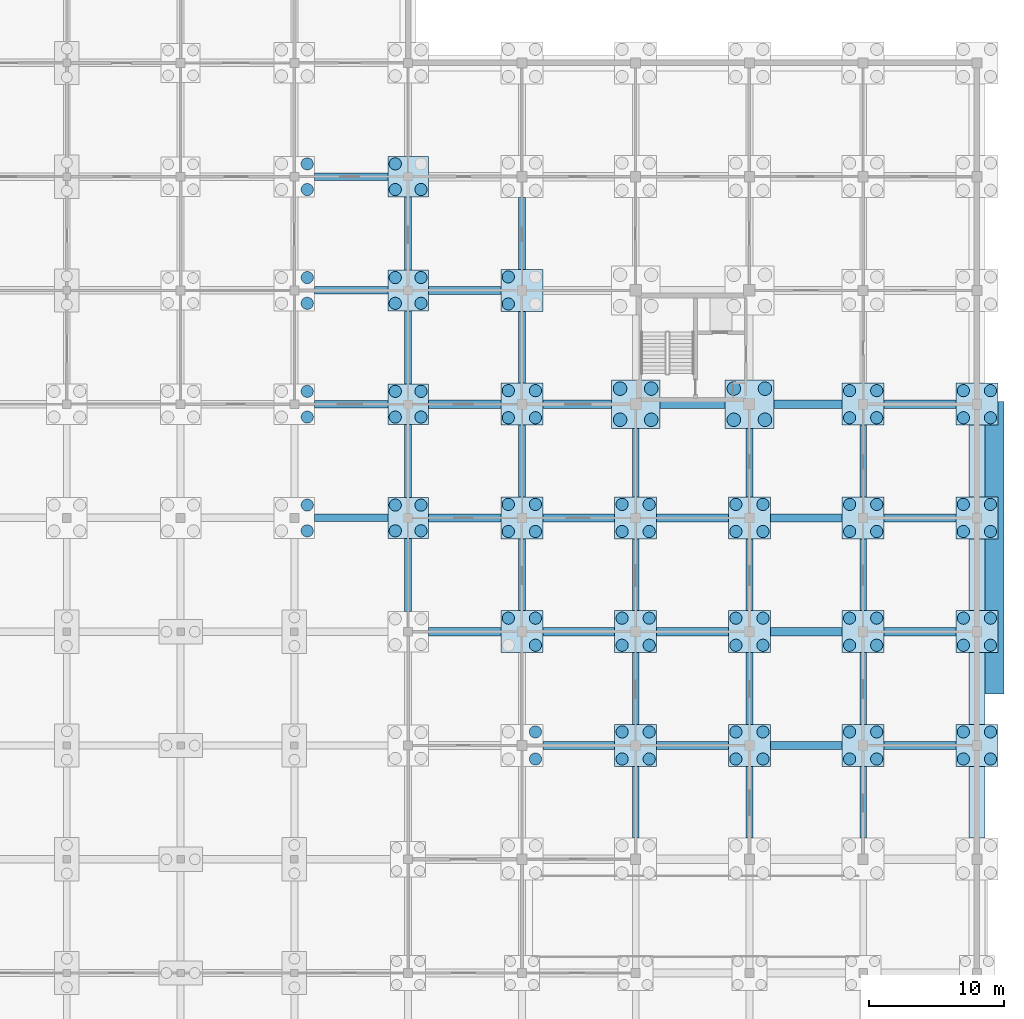
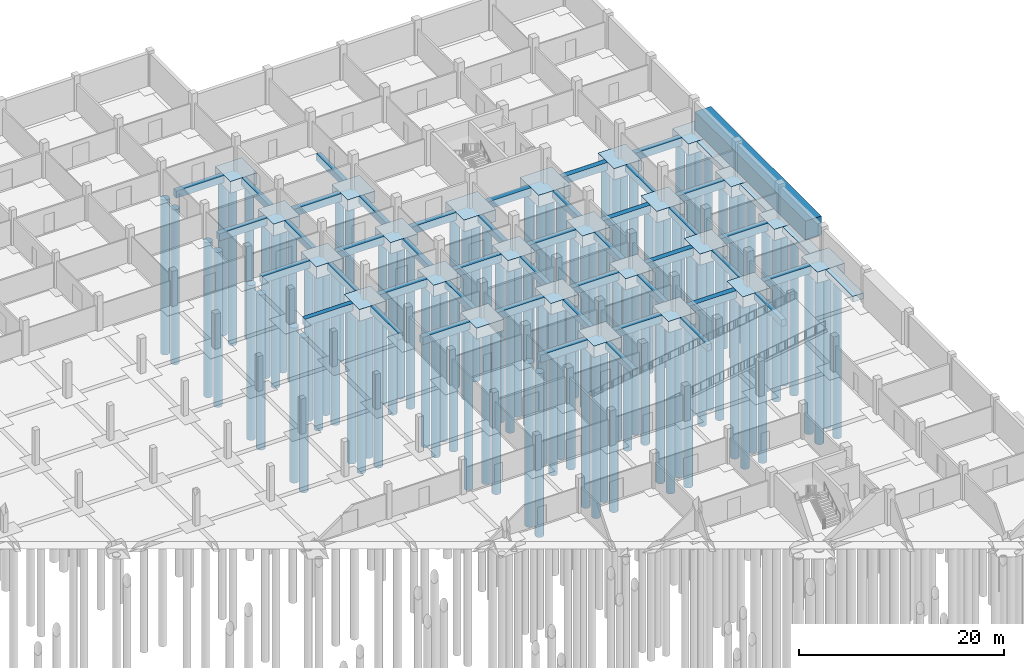
# One storey, part 14 of 43: 102 piles, 73 footings.
"""IFC4 building model written with IfcOpenShell, lengths in metres."""

from ifc_helpers import new_model, si_unit, direction, frame, origin, origin_2d, place, context, subcontext, project, spatial, rectangle, circle, extrude, material, material_profile, profile_set, type_object, element, save


model = new_model("IFC4")

# Units and contexts
model_context = context("Model", 3, precision=1e-05, world=origin(), true_north=direction((0.0, 1.0)))
body_context = subcontext(model_context, "Body", "Model", "MODEL_VIEW")
ifc_project = project(units=[si_unit("LENGTHUNIT", "METRE"), si_unit("AREAUNIT", "SQUARE_METRE"), si_unit("VOLUMEUNIT", "CUBIC_METRE"), si_unit("PLANEANGLEUNIT", "RADIAN"), si_unit("MASSUNIT", "GRAM", prefix="KILO")], contexts=[model_context])

# Site, building, storey
site_placement = place(None, origin())
site = spatial("IfcSite", under=ifc_project, at=site_placement, CompositionType="ELEMENT")
building_placement = place(site_placement, origin())
building = spatial("IfcBuilding", under=site, at=building_placement, Name="Varnapada Polytechnic", CompositionType="ELEMENT")
storey_placement = place(building_placement, frame((0.0, 0.0, -4.199951171875)))
storey = spatial("IfcBuildingStorey", under=building, at=storey_placement, Name="B1", CompositionType="ELEMENT", Elevation=-4.199951171875)

# Piles
ifc_material = material(Name="Concrete C40/50", Category="concrete")
ifc_material_profile_1 = material_profile(ifc_material, circle(Radius=0.5, at=origin_2d()), Name="BP 1000")
ifc_profile_set_1 = profile_set([ifc_material_profile_1], Name="Concrete C40/50")
pile_type_1 = type_object("IfcPileType", Name="Bored Pile BP 1000", PredefinedType="BORED", material=ifc_profile_set_1)
for number, where, z_axis, x_axis, name in (
    (1, (150.050048828125, 91.25, -1.300048828125), (0.0, 0.0, -1.0), (1.0, 0.0, 0.0), "Bored pile P-01 under CAP-18-11 (1)"),
    (2, (152.35009765625, 91.25, -1.300048828125), (0.0, 0.0, -1.0), (1.0, 0.0, 0.0), "Bored pile P-01 under CAP-18-11 (2)"),
    (3, (150.050048828125, 93.550048828125, -1.300048828125), (0.0, 0.0, -1.0), (1.0, 0.0, 0.0), "Bored pile P-01 under CAP-18-11 (3)"),
    (4, (152.35009765625, 93.550048828125, -1.300048828125), (0.0, 0.0, -1.0), (1.0, 0.0, 0.0), "Bored pile P-01 under CAP-18-11 (4)"),
    (5, (158.449951171875, 91.25, -1.300048828125), (0.0, 0.0, -1.0), (1.0, 0.0, 0.0), "Bored pile P-01 under CAP-19-11 (1)"),
    (6, (160.75, 91.25, -1.300048828125), (0.0, 0.0, -1.0), (1.0, 0.0, 0.0), "Bored pile P-01 under CAP-19-11 (2)"),
    (7, (158.449951171875, 93.550048828125, -1.300048828125), (0.0, 0.0, -1.0), (1.0, 0.0, 0.0), "Bored pile P-01 under CAP-19-11 (3)"),
    (8, (160.75, 93.550048828125, -1.300048828125), (0.0, 0.0, -1.0), (1.0, 0.0, 0.0), "Bored pile P-01 under CAP-19-11 (4)"),
):
    element("IfcPile", number, at=place(storey_placement, frame(where, z_axis=z_axis, x_axis=x_axis)), inside=storey, type_object=pile_type_1, Name=name, PredefinedType="BORED", context=body_context, shape_type="SweptSolid", body=[
        extrude(circle(Radius=0.5, at=origin_2d()), origin(), (0.0, 0.0, 1.0), 20.5),
    ])
ifc_material_profile_2 = material_profile(ifc_material, circle(Radius=0.449951171875, at=origin_2d()), Name="BP 900")
ifc_profile_set_2 = profile_set([ifc_material_profile_2], Name="Concrete C40/50")
pile_type_2 = type_object("IfcPileType", Name="Bored Pile BP 900", PredefinedType="BORED", material=ifc_profile_set_2)
for number, where, z_axis, x_axis, name in (
    (9, (126.949951171875, 83.050048828125, -1.300048828125), (0.0, 0.0, -1.0), (1.0, 0.0, 0.0), "Bored pile P-02 under CAP-15-10 (2)"),
    (10, (126.949951171875, 84.949951171875, -1.300048828125), (0.0, 0.0, -1.0), (1.0, 0.0, 0.0), "Bored pile P-02 under CAP-15-10 (4)"),
    (11, (126.949951171875, 91.449951171875, -1.300048828125), (0.0, 0.0, -1.0), (1.0, 0.0, 0.0), "Bored pile P-02 under CAP-15-11 (2)"),
    (12, (126.949951171875, 93.35009765625, -1.300048828125), (0.0, 0.0, -1.0), (1.0, 0.0, 0.0), "Bored pile P-02 under CAP-15-11 (4)"),
    (13, (126.949951171875, 99.85009765625, -1.300048828125), (0.0, 0.0, -1.0), (1.0, 0.0, 0.0), "Bored pile P-02 under CAP-15-12 (2)"),
    (14, (126.949951171875, 101.75, -1.300048828125), (0.0, 0.0, -1.0), (1.0, 0.0, 0.0), "Bored pile P-02 under CAP-15-12 (4)"),
    (15, (126.949951171875, 108.25, -1.300048828125), (0.0, 0.0, -1.0), (1.0, 0.0, 0.0), "Bored pile P-02 under CAP-15-13 (2)"),
    (16, (126.949951171875, 110.14990234375, -1.300048828125), (0.0, 0.0, -1.0), (1.0, 0.0, 0.0), "Bored pile P-02 under CAP-15-13 (4)"),
    (17, (133.449951171875, 83.050048828125, -1.300048828125), (0.0, 0.0, -1.0), (1.0, 0.0, 0.0), "Bored pile P-02 under CAP-16-10 (1)"),
    (18, (135.35009765625, 83.050048828125, -1.300048828125), (0.0, 0.0, -1.0), (1.0, 0.0, 0.0), "Bored pile P-02 under CAP-16-10 (2)"),
    (19, (133.449951171875, 84.949951171875, -1.300048828125), (0.0, 0.0, -1.0), (1.0, 0.0, 0.0), "Bored pile P-02 under CAP-16-10 (3)"),
    (20, (135.35009765625, 84.949951171875, -1.300048828125), (0.0, 0.0, -1.0), (1.0, 0.0, 0.0), "Bored pile P-02 under CAP-16-10 (4)"),
    (21, (133.449951171875, 91.449951171875, -1.300048828125), (0.0, 0.0, -1.0), (1.0, 0.0, 0.0), "Bored pile P-02 under CAP-16-11 (1)"),
    (22, (135.35009765625, 91.449951171875, -1.300048828125), (0.0, 0.0, -1.0), (1.0, 0.0, 0.0), "Bored pile P-02 under CAP-16-11 (2)"),
    (23, (133.449951171875, 93.35009765625, -1.300048828125), (0.0, 0.0, -1.0), (1.0, 0.0, 0.0), "Bored pile P-02 under CAP-16-11 (3)"),
    (24, (135.35009765625, 93.35009765625, -1.300048828125), (0.0, 0.0, -1.0), (1.0, 0.0, 0.0), "Bored pile P-02 under CAP-16-11 (4)"),
    (25, (133.449951171875, 99.85009765625, -1.300048828125), (0.0, 0.0, -1.0), (1.0, 0.0, 0.0), "Bored pile P-02 under CAP-16-12 (1)"),
    (26, (135.35009765625, 99.85009765625, -1.300048828125), (0.0, 0.0, -1.0), (1.0, 0.0, 0.0), "Bored pile P-02 under CAP-16-12 (2)"),
    (27, (133.449951171875, 101.75, -1.300048828125), (0.0, 0.0, -1.0), (1.0, 0.0, 0.0), "Bored pile P-02 under CAP-16-12 (3)"),
    (28, (135.35009765625, 101.75, -1.300048828125), (0.0, 0.0, -1.0), (1.0, 0.0, 0.0), "Bored pile P-02 under CAP-16-12 (4)"),
    (29, (133.449951171875, 108.25, -1.300048828125), (0.0, 0.0, -1.0), (1.0, 0.0, 0.0), "Bored pile P-02 under CAP-16-13 (1)"),
    (30, (135.35009765625, 108.25, -1.300048828125), (0.0, 0.0, -1.0), (1.0, 0.0, 0.0), "Bored pile P-02 under CAP-16-13 (2)"),
    (31, (133.449951171875, 110.14990234375, -1.300048828125), (0.0, 0.0, -1.0), (1.0, 0.0, 0.0), "Bored pile P-02 under CAP-16-13 (3)"),
):
    element("IfcPile", number, at=place(storey_placement, frame(where, z_axis=z_axis, x_axis=x_axis)), inside=storey, type_object=pile_type_2, Name=name, PredefinedType="BORED", context=body_context, shape_type="SweptSolid", body=[
        extrude(circle(Radius=0.449951171875, at=origin_2d()), origin(), (0.0, 0.0, 1.0), 18.5),
    ])
for number, where, z_axis, x_axis, name in (
    (32, (143.800048828125, 66.199951171875, -1.25), (0.0, 0.0, -1.0), (1.0, 0.0, 0.0), "Bored pile P-02 under CAP-17-08 (2)"),
    (33, (143.800048828125, 68.199951171875, -1.25), (0.0, 0.0, -1.0), (1.0, 0.0, 0.0), "Bored pile P-02 under CAP-17-08 (4)"),
    (34, (143.800048828125, 74.60009765625, -1.25), (0.0, 0.0, -1.0), (1.0, 0.0, 0.0), "Bored pile P-02 under CAP-17-09 (2)"),
    (35, (141.800048828125, 76.60009765625, -1.25), (0.0, 0.0, -1.0), (1.0, 0.0, 0.0), "Bored pile P-02 under CAP-17-09 (3)"),
    (36, (143.800048828125, 76.60009765625, -1.25), (0.0, 0.0, -1.0), (1.0, 0.0, 0.0), "Bored pile P-02 under CAP-17-09 (4)"),
    (37, (141.800048828125, 83.0, -1.25), (0.0, 0.0, -1.0), (1.0, 0.0, 0.0), "Bored pile P-02 under CAP-17-10 (1)"),
    (38, (143.800048828125, 83.0, -1.25), (0.0, 0.0, -1.0), (1.0, 0.0, 0.0), "Bored pile P-02 under CAP-17-10 (2)"),
    (39, (141.800048828125, 85.0, -1.25), (0.0, 0.0, -1.0), (1.0, 0.0, 0.0), "Bored pile P-02 under CAP-17-10 (3)"),
    (40, (143.800048828125, 85.0, -1.25), (0.0, 0.0, -1.0), (1.0, 0.0, 0.0), "Bored pile P-02 under CAP-17-10 (4)"),
    (41, (141.800048828125, 91.39990234375, -1.25), (0.0, 0.0, -1.0), (1.0, 0.0, 0.0), "Bored pile P-02 under CAP-17-11 (1)"),
    (42, (143.800048828125, 91.39990234375, -1.25), (0.0, 0.0, -1.0), (1.0, 0.0, 0.0), "Bored pile P-02 under CAP-17-11 (2)"),
    (43, (141.800048828125, 93.39990234375, -1.25), (0.0, 0.0, -1.0), (1.0, 0.0, 0.0), "Bored pile P-02 under CAP-17-11 (3)"),
    (44, (143.800048828125, 93.39990234375, -1.25), (0.0, 0.0, -1.0), (1.0, 0.0, 0.0), "Bored pile P-02 under CAP-17-11 (4)"),
    (45, (141.800048828125, 99.800048828125, -1.25), (0.0, 0.0, -1.0), (1.0, 0.0, 0.0), "Bored pile P-02 under CAP-17-12 (1)"),
    (46, (141.800048828125, 101.800048828125, -1.25), (0.0, 0.0, -1.0), (1.0, 0.0, 0.0), "Bored pile P-02 under CAP-17-12 (3)"),
    (47, (150.199951171875, 66.199951171875, -1.25), (0.0, 0.0, -1.0), (1.0, 0.0, 0.0), "Bored pile P-02 under CAP-18-08 (1)"),
    (48, (152.199951171875, 66.199951171875, -1.25), (0.0, 0.0, -1.0), (1.0, 0.0, 0.0), "Bored pile P-02 under CAP-18-08 (2)"),
    (49, (150.199951171875, 68.199951171875, -1.25), (0.0, 0.0, -1.0), (1.0, 0.0, 0.0), "Bored pile P-02 under CAP-18-08 (3)"),
    (50, (152.199951171875, 68.199951171875, -1.25), (0.0, 0.0, -1.0), (1.0, 0.0, 0.0), "Bored pile P-02 under CAP-18-08 (4)"),
    (51, (150.199951171875, 74.60009765625, -1.25), (0.0, 0.0, -1.0), (1.0, 0.0, 0.0), "Bored pile P-02 under CAP-18-09 (1)"),
    (52, (152.199951171875, 74.60009765625, -1.25), (0.0, 0.0, -1.0), (1.0, 0.0, 0.0), "Bored pile P-02 under CAP-18-09 (2)"),
    (53, (150.199951171875, 76.60009765625, -1.25), (0.0, 0.0, -1.0), (1.0, 0.0, 0.0), "Bored pile P-02 under CAP-18-09 (3)"),
    (54, (152.199951171875, 76.60009765625, -1.25), (0.0, 0.0, -1.0), (1.0, 0.0, 0.0), "Bored pile P-02 under CAP-18-09 (4)"),
    (55, (150.199951171875, 83.0, -1.25), (0.0, 0.0, -1.0), (1.0, 0.0, 0.0), "Bored pile P-02 under CAP-18-10 (1)"),
    (56, (152.199951171875, 83.0, -1.25), (0.0, 0.0, -1.0), (1.0, 0.0, 0.0), "Bored pile P-02 under CAP-18-10 (2)"),
    (57, (150.199951171875, 85.0, -1.25), (0.0, 0.0, -1.0), (1.0, 0.0, 0.0), "Bored pile P-02 under CAP-18-10 (3)"),
    (58, (152.199951171875, 85.0, -1.25), (0.0, 0.0, -1.0), (1.0, 0.0, 0.0), "Bored pile P-02 under CAP-18-10 (4)"),
    (59, (158.60009765625, 66.199951171875, -1.25), (0.0, 0.0, -1.0), (1.0, 0.0, 0.0), "Bored pile P-02 under CAP-19-08 (1)"),
    (60, (160.60009765625, 66.199951171875, -1.25), (0.0, 0.0, -1.0), (1.0, 0.0, 0.0), "Bored pile P-02 under CAP-19-08 (2)"),
    (61, (158.60009765625, 68.199951171875, -1.25), (0.0, 0.0, -1.0), (1.0, 0.0, 0.0), "Bored pile P-02 under CAP-19-08 (3)"),
    (62, (160.60009765625, 68.199951171875, -1.25), (0.0, 0.0, -1.0), (1.0, 0.0, 0.0), "Bored pile P-02 under CAP-19-08 (4)"),
    (63, (158.60009765625, 74.60009765625, -1.25), (0.0, 0.0, -1.0), (1.0, 0.0, 0.0), "Bored pile P-02 under CAP-19-09 (1)"),
    (64, (160.60009765625, 74.60009765625, -1.25), (0.0, 0.0, -1.0), (1.0, 0.0, 0.0), "Bored pile P-02 under CAP-19-09 (2)"),
    (65, (158.60009765625, 76.60009765625, -1.25), (0.0, 0.0, -1.0), (1.0, 0.0, 0.0), "Bored pile P-02 under CAP-19-09 (3)"),
    (66, (160.60009765625, 76.60009765625, -1.25), (0.0, 0.0, -1.0), (1.0, 0.0, 0.0), "Bored pile P-02 under CAP-19-09 (4)"),
    (67, (158.60009765625, 83.0, -1.25), (0.0, 0.0, -1.0), (1.0, 0.0, 0.0), "Bored pile P-02 under CAP-19-10 (1)"),
    (68, (160.60009765625, 83.0, -1.25), (0.0, 0.0, -1.0), (1.0, 0.0, 0.0), "Bored pile P-02 under CAP-19-10 (2)"),
    (69, (158.60009765625, 85.0, -1.25), (0.0, 0.0, -1.0), (1.0, 0.0, 0.0), "Bored pile P-02 under CAP-19-10 (3)"),
    (70, (160.60009765625, 85.0, -1.25), (0.0, 0.0, -1.0), (1.0, 0.0, 0.0), "Bored pile P-02 under CAP-19-10 (4)"),
    (71, (167.0, 66.199951171875, -1.25), (0.0, 0.0, -1.0), (1.0, 0.0, 0.0), "Bored pile P-02 under CAP-20-08 (1)"),
    (72, (169.0, 66.199951171875, -1.25), (0.0, 0.0, -1.0), (1.0, 0.0, 0.0), "Bored pile P-02 under CAP-20-08 (2)"),
    (73, (167.0, 68.199951171875, -1.25), (0.0, 0.0, -1.0), (1.0, 0.0, 0.0), "Bored pile P-02 under CAP-20-08 (3)"),
    (74, (169.0, 68.199951171875, -1.25), (0.0, 0.0, -1.0), (1.0, 0.0, 0.0), "Bored pile P-02 under CAP-20-08 (4)"),
    (75, (167.0, 74.60009765625, -1.25), (0.0, 0.0, -1.0), (1.0, 0.0, 0.0), "Bored pile P-02 under CAP-20-09 (1)"),
    (76, (169.0, 74.60009765625, -1.25), (0.0, 0.0, -1.0), (1.0, 0.0, 0.0), "Bored pile P-02 under CAP-20-09 (2)"),
    (77, (167.0, 76.60009765625, -1.25), (0.0, 0.0, -1.0), (1.0, 0.0, 0.0), "Bored pile P-02 under CAP-20-09 (3)"),
    (78, (169.0, 76.60009765625, -1.25), (0.0, 0.0, -1.0), (1.0, 0.0, 0.0), "Bored pile P-02 under CAP-20-09 (4)"),
    (79, (167.0, 83.0, -1.25), (0.0, 0.0, -1.0), (1.0, 0.0, 0.0), "Bored pile P-02 under CAP-20-10 (1)"),
    (80, (169.0, 83.0, -1.25), (0.0, 0.0, -1.0), (1.0, 0.0, 0.0), "Bored pile P-02 under CAP-20-10 (2)"),
    (81, (167.0, 85.0, -1.25), (0.0, 0.0, -1.0), (1.0, 0.0, 0.0), "Bored pile P-02 under CAP-20-10 (3)"),
    (82, (169.0, 85.0, -1.25), (0.0, 0.0, -1.0), (1.0, 0.0, 0.0), "Bored pile P-02 under CAP-20-10 (4)"),
    (83, (167.0, 91.39990234375, -1.25), (0.0, 0.0, -1.0), (1.0, 0.0, 0.0), "Bored pile P-02 under CAP-20-11 (1)"),
    (84, (169.0, 91.39990234375, -1.25), (0.0, 0.0, -1.0), (1.0, 0.0, 0.0), "Bored pile P-02 under CAP-20-11 (2)"),
    (85, (167.0, 93.39990234375, -1.25), (0.0, 0.0, -1.0), (1.0, 0.0, 0.0), "Bored pile P-02 under CAP-20-11 (3)"),
    (86, (169.0, 93.39990234375, -1.25), (0.0, 0.0, -1.0), (1.0, 0.0, 0.0), "Bored pile P-02 under CAP-20-11 (4)"),
    (87, (175.39990234375, 66.199951171875, -1.25), (0.0, 0.0, -1.0), (1.0, 0.0, 0.0), "Bored pile P-02 under CAP-21-08 (1)"),
    (88, (177.39990234375, 66.199951171875, -1.25), (0.0, 0.0, -1.0), (1.0, 0.0, 0.0), "Bored pile P-02 under CAP-21-08 (2)"),
    (89, (175.39990234375, 68.199951171875, -1.25), (0.0, 0.0, -1.0), (1.0, 0.0, 0.0), "Bored pile P-02 under CAP-21-08 (3)"),
    (90, (177.39990234375, 68.199951171875, -1.25), (0.0, 0.0, -1.0), (1.0, 0.0, 0.0), "Bored pile P-02 under CAP-21-08 (4)"),
    (91, (175.39990234375, 74.60009765625, -1.25), (0.0, 0.0, -1.0), (1.0, 0.0, 0.0), "Bored pile P-02 under CAP-21-09 (1)"),
    (92, (177.39990234375, 74.60009765625, -1.25), (0.0, 0.0, -1.0), (1.0, 0.0, 0.0), "Bored pile P-02 under CAP-21-09 (2)"),
    (93, (175.39990234375, 76.60009765625, -1.25), (0.0, 0.0, -1.0), (1.0, 0.0, 0.0), "Bored pile P-02 under CAP-21-09 (3)"),
    (94, (177.39990234375, 76.60009765625, -1.25), (0.0, 0.0, -1.0), (1.0, 0.0, 0.0), "Bored pile P-02 under CAP-21-09 (4)"),
    (95, (175.39990234375, 83.0, -1.25), (0.0, 0.0, -1.0), (1.0, 0.0, 0.0), "Bored pile P-02 under CAP-21-10 (1)"),
    (96, (177.39990234375, 83.0, -1.25), (0.0, 0.0, -1.0), (1.0, 0.0, 0.0), "Bored pile P-02 under CAP-21-10 (2)"),
    (97, (175.39990234375, 85.0, -1.25), (0.0, 0.0, -1.0), (1.0, 0.0, 0.0), "Bored pile P-02 under CAP-21-10 (3)"),
    (98, (177.39990234375, 85.0, -1.25), (0.0, 0.0, -1.0), (1.0, 0.0, 0.0), "Bored pile P-02 under CAP-21-10 (4)"),
    (99, (175.39990234375, 91.39990234375, -1.25), (0.0, 0.0, -1.0), (1.0, 0.0, 0.0), "Bored pile P-02 under CAP-21-11 (1)"),
    (100, (177.39990234375, 91.39990234375, -1.25), (0.0, 0.0, -1.0), (1.0, 0.0, 0.0), "Bored pile P-02 under CAP-21-11 (2)"),
    (101, (175.39990234375, 93.39990234375, -1.25), (0.0, 0.0, -1.0), (1.0, 0.0, 0.0), "Bored pile P-02 under CAP-21-11 (3)"),
    (102, (177.39990234375, 93.39990234375, -1.25), (0.0, 0.0, -1.0), (1.0, 0.0, 0.0), "Bored pile P-02 under CAP-21-11 (4)"),
):
    element("IfcPile", number, at=place(storey_placement, frame(where, z_axis=z_axis, x_axis=x_axis)), inside=storey, type_object=pile_type_2, Name=name, PredefinedType="BORED", context=body_context, shape_type="SweptSolid", body=[
        extrude(circle(Radius=0.449951171875, at=origin_2d()), origin(), (0.0, 0.0, 1.0), 19.550048828125),
    ])

# Footings
footing_type_1 = type_object("IfcFootingType", Name="Footing GB-01", PredefinedType="FOOTING_BEAM", material=ifc_material)
for number, where, z_axis, x_axis, name in (
    (103, (138.574951171875, 75.60009765625, -0.89990234375), (0.0, 0.0, 1.0), (1.0, 0.0, 0.0), "Ground footing beam GB-01 X 17-18"),
    (104, (138.574951171875, 84.0, -0.89990234375), (0.0, 0.0, 1.0), (1.0, 0.0, 0.0), "Ground footing beam GB-01 X 17-18"),
    (105, (138.574951171875, 92.39990234375, -0.89990234375), (0.0, 0.0, 1.0), (1.0, 0.0, 0.0), "Ground footing beam GB-01 X 17-18"),
    (106, (138.574951171875, 100.800048828125, -0.89990234375), (0.0, 0.0, 1.0), (1.0, 0.0, 0.0), "Ground footing beam GB-01 X 17-18"),
):
    element("IfcFooting", number, at=place(storey_placement, frame(where, z_axis=z_axis, x_axis=x_axis)), inside=storey, type_object=footing_type_1, Name=name, PredefinedType="FOOTING_BEAM", context=body_context, shape_type="SweptSolid", body=[
        extrude(rectangle(XDim=5.35009765625, YDim=0.60009765625, at=origin_2d()), origin(), (0.0, 0.0, 1.0), 0.89990234375),
    ])
for number, where, z_axis, x_axis, name in (
    (107, (147.0, 67.199951171875, -0.89990234375), (0.0, 0.0, 1.0), (1.0, 0.0, 0.0), "Ground footing beam GB-01 X 18-19"),
    (108, (147.0, 75.60009765625, -0.89990234375), (0.0, 0.0, 1.0), (1.0, 0.0, 0.0), "Ground footing beam GB-01 X 18-19"),
    (109, (147.0, 84.0, -0.89990234375), (0.0, 0.0, 1.0), (1.0, 0.0, 0.0), "Ground footing beam GB-01 X 18-19"),
):
    element("IfcFooting", number, at=place(storey_placement, frame(where, z_axis=z_axis, x_axis=x_axis)), inside=storey, type_object=footing_type_1, Name=name, PredefinedType="FOOTING_BEAM", context=body_context, shape_type="SweptSolid", body=[
        extrude(rectangle(XDim=5.300048828125, YDim=0.60009765625, at=origin_2d()), origin(), (0.0, 0.0, 1.0), 0.89990234375),
    ])
footing_1_placement = place(storey_placement, frame((146.875, 92.39990234375, -0.89990234375), z_axis=(0.0, 0.0, 1.0), x_axis=(1.0, 0.0, 0.0)))
element("IfcFooting", 110, at=footing_1_placement, inside=storey, type_object=footing_type_1, Name="Ground footing beam GB-01 X 18-19", PredefinedType="FOOTING_BEAM", context=body_context, shape_type="SweptSolid", body=[
    extrude(rectangle(XDim=5.050048828125, YDim=0.60009765625, at=origin_2d()), origin(), (0.0, 0.0, 1.0), 0.89990234375),
])
for number, where, z_axis, x_axis, name in (
    (111, (155.39990234375, 67.199951171875, -0.89990234375), (0.0, 0.0, 1.0), (1.0, 0.0, 0.0), "Ground footing beam GB-01 X 19-20"),
    (112, (155.39990234375, 75.60009765625, -0.89990234375), (0.0, 0.0, 1.0), (1.0, 0.0, 0.0), "Ground footing beam GB-01 X 19-20"),
    (113, (155.39990234375, 84.0, -0.89990234375), (0.0, 0.0, 1.0), (1.0, 0.0, 0.0), "Ground footing beam GB-01 X 19-20"),
):
    element("IfcFooting", number, at=place(storey_placement, frame(where, z_axis=z_axis, x_axis=x_axis)), inside=storey, type_object=footing_type_1, Name=name, PredefinedType="FOOTING_BEAM", context=body_context, shape_type="SweptSolid", body=[
        extrude(rectangle(XDim=5.300048828125, YDim=0.60009765625, at=origin_2d()), origin(), (0.0, 0.0, 1.0), 0.89990234375),
    ])
footing_2_placement = place(storey_placement, frame((155.39990234375, 92.39990234375, -0.89990234375), z_axis=(0.0, 0.0, 1.0), x_axis=(1.0, 0.0, 0.0)))
element("IfcFooting", 114, at=footing_2_placement, inside=storey, type_object=footing_type_1, Name="Ground footing beam GB-01 X 19-20", PredefinedType="FOOTING_BEAM", context=body_context, shape_type="SweptSolid", body=[
    extrude(rectangle(XDim=4.800048828125, YDim=0.60009765625, at=origin_2d()), origin(), (0.0, 0.0, 1.0), 0.89990234375),
])
for number, where, z_axis, x_axis, name in (
    (115, (163.800048828125, 67.199951171875, -0.89990234375), (0.0, 0.0, 1.0), (1.0, 0.0, 0.0), "Ground footing beam GB-01 X 20-21"),
    (116, (163.800048828125, 75.60009765625, -0.89990234375), (0.0, 0.0, 1.0), (1.0, 0.0, 0.0), "Ground footing beam GB-01 X 20-21"),
    (117, (163.800048828125, 84.0, -0.89990234375), (0.0, 0.0, 1.0), (1.0, 0.0, 0.0), "Ground footing beam GB-01 X 20-21"),
):
    element("IfcFooting", number, at=place(storey_placement, frame(where, z_axis=z_axis, x_axis=x_axis)), inside=storey, type_object=footing_type_1, Name=name, PredefinedType="FOOTING_BEAM", context=body_context, shape_type="SweptSolid", body=[
        extrude(rectangle(XDim=5.300048828125, YDim=0.60009765625, at=origin_2d()), origin(), (0.0, 0.0, 1.0), 0.89990234375),
    ])
footing_3_placement = place(storey_placement, frame((163.925048828125, 92.39990234375, -0.89990234375), z_axis=(0.0, 0.0, 1.0), x_axis=(1.0, 0.0, 0.0)))
element("IfcFooting", 118, at=footing_3_placement, inside=storey, type_object=footing_type_1, Name="Ground footing beam GB-01 X 20-21", PredefinedType="FOOTING_BEAM", context=body_context, shape_type="SweptSolid", body=[
    extrude(rectangle(XDim=5.050048828125, YDim=0.60009765625, at=origin_2d()), origin(), (0.0, 0.0, 1.0), 0.89990234375),
])
for number, where, z_axis, x_axis, name in (
    (119, (172.199951171875, 67.199951171875, -0.89990234375), (0.0, 0.0, 1.0), (1.0, 0.0, 0.0), "Ground footing beam GB-01 X 21-22"),
    (120, (172.199951171875, 75.60009765625, -0.89990234375), (0.0, 0.0, 1.0), (1.0, 0.0, 0.0), "Ground footing beam GB-01 X 21-22"),
    (121, (172.199951171875, 84.0, -0.89990234375), (0.0, 0.0, 1.0), (1.0, 0.0, 0.0), "Ground footing beam GB-01 X 21-22"),
    (122, (172.199951171875, 92.39990234375, -0.89990234375), (0.0, 0.0, 1.0), (1.0, 0.0, 0.0), "Ground footing beam GB-01 X 21-22"),
):
    element("IfcFooting", number, at=place(storey_placement, frame(where, z_axis=z_axis, x_axis=x_axis)), inside=storey, type_object=footing_type_1, Name=name, PredefinedType="FOOTING_BEAM", context=body_context, shape_type="SweptSolid", body=[
        extrude(rectangle(XDim=5.300048828125, YDim=0.60009765625, at=origin_2d()), origin(), (0.0, 0.0, 1.0), 0.89990234375),
    ])
footing_type_2 = type_object("IfcFootingType", Name="Footing GB-02", PredefinedType="FOOTING_BEAM", material=ifc_material)
for number, where, z_axis, x_axis, name in (
    (123, (134.39990234375, 79.800048828125, -0.80029296875), (0.0, 0.0, 1.0), (0.0, 1.0, 0.0), "Ground footing beam GB-02 Y 10-11"),
    (124, (134.39990234375, 88.199951171875, -0.80029296875), (0.0, 0.0, 1.0), (0.0, 1.0, 0.0), "Ground footing beam GB-02 Y 11-12"),
    (125, (134.39990234375, 96.60009765625, -0.80029296875), (0.0, 0.0, 1.0), (0.0, 1.0, 0.0), "Ground footing beam GB-02 Y 12-13"),
    (126, (134.39990234375, 105.0, -0.80029296875), (0.0, 0.0, 1.0), (0.0, 1.0, 0.0), "Ground footing beam GB-02 Y 13-14"),
):
    element("IfcFooting", number, at=place(storey_placement, frame(where, z_axis=z_axis, x_axis=x_axis)), inside=storey, type_object=footing_type_2, Name=name, PredefinedType="FOOTING_BEAM", context=body_context, shape_type="SweptSolid", body=[
        extrude(rectangle(XDim=5.39990234375, YDim=0.5, at=origin_2d()), origin(), (0.0, 0.0, 1.0), 0.800048828125),
    ])
for number, where, z_axis, x_axis, name in (
    (127, (142.800048828125, 79.800048828125, -0.80029296875), (0.0, 0.0, 1.0), (0.0, 1.0, 0.0), "Ground footing beam GB-02 Y 10-11"),
    (128, (142.800048828125, 88.199951171875, -0.80029296875), (0.0, 0.0, 1.0), (0.0, 1.0, 0.0), "Ground footing beam GB-02 Y 11-12"),
    (129, (142.800048828125, 96.60009765625, -0.80029296875), (0.0, 0.0, 1.0), (0.0, 1.0, 0.0), "Ground footing beam GB-02 Y 12-13"),
    (130, (142.800048828125, 105.0, -0.80029296875), (0.0, 0.0, 1.0), (0.0, 1.0, 0.0), "Ground footing beam GB-02 Y 13-14"),
    (131, (151.199951171875, 63.0, -0.80029296875), (0.0, 0.0, 1.0), (0.0, 1.0, 0.0), "Ground footing beam GB-02 Y 8-9"),
    (132, (151.199951171875, 71.39990234375, -0.80029296875), (0.0, 0.0, 1.0), (0.0, 1.0, 0.0), "Ground footing beam GB-02 Y 9-10"),
    (133, (151.199951171875, 79.800048828125, -0.80029296875), (0.0, 0.0, 1.0), (0.0, 1.0, 0.0), "Ground footing beam GB-02 Y 10-11"),
):
    element("IfcFooting", number, at=place(storey_placement, frame(where, z_axis=z_axis, x_axis=x_axis)), inside=storey, type_object=footing_type_2, Name=name, PredefinedType="FOOTING_BEAM", context=body_context, shape_type="SweptSolid", body=[
        extrude(rectangle(XDim=5.300048828125, YDim=0.5, at=origin_2d()), origin(), (0.0, 0.0, 1.0), 0.800048828125),
    ])
footing_4_placement = place(storey_placement, frame((151.199951171875, 88.074951171875, -0.80029296875), z_axis=(0.0, 0.0, 1.0), x_axis=(0.0, 1.0, 0.0)))
element("IfcFooting", 134, at=footing_4_placement, inside=storey, type_object=footing_type_2, Name="Ground footing beam GB-02 Y 11-12", PredefinedType="FOOTING_BEAM", context=body_context, shape_type="SweptSolid", body=[
    extrude(rectangle(XDim=5.050048828125, YDim=0.5, at=origin_2d()), origin(), (0.0, 0.0, 1.0), 0.800048828125),
])
for number, where, z_axis, x_axis, name in (
    (135, (159.60009765625, 63.0, -0.80029296875), (0.0, 0.0, 1.0), (0.0, 1.0, 0.0), "Ground footing beam GB-02 Y 8-9"),
    (136, (159.60009765625, 71.39990234375, -0.80029296875), (0.0, 0.0, 1.0), (0.0, 1.0, 0.0), "Ground footing beam GB-02 Y 9-10"),
    (137, (159.60009765625, 79.800048828125, -0.80029296875), (0.0, 0.0, 1.0), (0.0, 1.0, 0.0), "Ground footing beam GB-02 Y 10-11"),
):
    element("IfcFooting", number, at=place(storey_placement, frame(where, z_axis=z_axis, x_axis=x_axis)), inside=storey, type_object=footing_type_2, Name=name, PredefinedType="FOOTING_BEAM", context=body_context, shape_type="SweptSolid", body=[
        extrude(rectangle(XDim=5.300048828125, YDim=0.5, at=origin_2d()), origin(), (0.0, 0.0, 1.0), 0.800048828125),
    ])
footing_5_placement = place(storey_placement, frame((159.60009765625, 88.074951171875, -0.80029296875), z_axis=(0.0, 0.0, 1.0), x_axis=(0.0, 1.0, 0.0)))
element("IfcFooting", 138, at=footing_5_placement, inside=storey, type_object=footing_type_2, Name="Ground footing beam GB-02 Y 11-12", PredefinedType="FOOTING_BEAM", context=body_context, shape_type="SweptSolid", body=[
    extrude(rectangle(XDim=5.050048828125, YDim=0.5, at=origin_2d()), origin(), (0.0, 0.0, 1.0), 0.800048828125),
])
for number, where, z_axis, x_axis, name in (
    (139, (168.0, 63.0, -0.80029296875), (0.0, 0.0, 1.0), (0.0, 1.0, 0.0), "Ground footing beam GB-02 Y 8-9"),
    (140, (168.0, 71.39990234375, -0.80029296875), (0.0, 0.0, 1.0), (0.0, 1.0, 0.0), "Ground footing beam GB-02 Y 9-10"),
    (141, (168.0, 79.800048828125, -0.80029296875), (0.0, 0.0, 1.0), (0.0, 1.0, 0.0), "Ground footing beam GB-02 Y 10-11"),
    (142, (168.0, 88.199951171875, -0.80029296875), (0.0, 0.0, 1.0), (0.0, 1.0, 0.0), "Ground footing beam GB-02 Y 11-12"),
):
    element("IfcFooting", number, at=place(storey_placement, frame(where, z_axis=z_axis, x_axis=x_axis)), inside=storey, type_object=footing_type_2, Name=name, PredefinedType="FOOTING_BEAM", context=body_context, shape_type="SweptSolid", body=[
        extrude(rectangle(XDim=5.300048828125, YDim=0.5, at=origin_2d()), origin(), (0.0, 0.0, 1.0), 0.800048828125),
    ])
footing_type_3 = type_object("IfcFootingType", Name="Footing GB-04", PredefinedType="FOOTING_BEAM", material=ifc_material)
for number, where, z_axis, x_axis, name in (
    (143, (130.199951171875, 84.0, -0.85009765625), (0.0, 0.0, 1.0), (1.0, 0.0, 0.0), "Ground footing beam GB-04 X 16-17"),
    (144, (130.199951171875, 92.39990234375, -0.85009765625), (0.0, 0.0, 1.0), (1.0, 0.0, 0.0), "Ground footing beam GB-04 X 16-17"),
    (145, (130.199951171875, 100.800048828125, -0.85009765625), (0.0, 0.0, 1.0), (1.0, 0.0, 0.0), "Ground footing beam GB-04 X 16-17"),
    (146, (130.199951171875, 109.199951171875, -0.85009765625), (0.0, 0.0, 1.0), (1.0, 0.0, 0.0), "Ground footing beam GB-04 X 16-17"),
):
    element("IfcFooting", number, at=place(storey_placement, frame(where, z_axis=z_axis, x_axis=x_axis)), inside=storey, type_object=footing_type_3, Name=name, PredefinedType="FOOTING_BEAM", context=body_context, shape_type="SweptSolid", body=[
        extrude(rectangle(XDim=5.39990234375, YDim=0.550048828125, at=origin_2d()), origin(), (0.0, 0.0, 1.0), 0.85009765625),
    ])
footing_type_4 = type_object("IfcFootingType", Name="Footing PC-01", PredefinedType="PILE_CAP", material=ifc_material)
for number, where, z_axis, x_axis, name in (
    (147, (151.199951171875, 92.39990234375, -1.39990234375), (0.0, 0.0, 1.0), (1.0, 0.0, 0.0), "Pile cap PC-01 at grid 19/12"),
    (148, (159.60009765625, 92.39990234375, -1.39990234375), (0.0, 0.0, 1.0), (1.0, 0.0, 0.0), "Pile cap PC-01 at grid 20/12"),
):
    element("IfcFooting", number, at=place(storey_placement, frame(where, z_axis=z_axis, x_axis=x_axis)), inside=storey, type_object=footing_type_4, Name=name, PredefinedType="PILE_CAP", context=body_context, shape_type="SweptSolid", body=[
        extrude(rectangle(XDim=3.60009765625, YDim=3.60009765625, at=origin_2d()), origin(), (0.0, 0.0, 1.0), 1.39990234375),
    ])
footing_type_5 = type_object("IfcFootingType", Name="Footing PC-03", PredefinedType="PILE_CAP", material=ifc_material)
for number, where, z_axis, x_axis, name in (
    (149, (134.39990234375, 84.0, -1.39990234375), (0.0, 0.0, 1.0), (1.0, 0.0, 0.0), "Pile cap PC-03 at grid 17/11"),
    (150, (134.39990234375, 92.39990234375, -1.39990234375), (0.0, 0.0, 1.0), (1.0, 0.0, 0.0), "Pile cap PC-03 at grid 17/12"),
    (151, (134.39990234375, 100.800048828125, -1.39990234375), (0.0, 0.0, 1.0), (1.0, 0.0, 0.0), "Pile cap PC-03 at grid 17/13"),
    (152, (134.39990234375, 109.199951171875, -1.39990234375), (0.0, 0.0, 1.0), (1.0, 0.0, 0.0), "Pile cap PC-03 at grid 17/14"),
):
    element("IfcFooting", number, at=place(storey_placement, frame(where, z_axis=z_axis, x_axis=x_axis)), inside=storey, type_object=footing_type_5, Name=name, PredefinedType="PILE_CAP", context=body_context, shape_type="SweptSolid", body=[
        extrude(rectangle(XDim=3.0, YDim=3.0, at=origin_2d()), origin(), (0.0, 0.0, 1.0), 1.39990234375),
    ])
footing_type_6 = type_object("IfcFootingType", Name="Footing PC-08", PredefinedType="PILE_CAP", material=ifc_material)
for number, where, z_axis, x_axis, name in (
    (153, (142.800048828125, 75.60009765625, -1.35009765625), (0.0, 0.0, 1.0), (1.0, 0.0, 0.0), "Pile cap PC-08 at grid 18/10"),
    (154, (142.800048828125, 84.0, -1.35009765625), (0.0, 0.0, 1.0), (1.0, 0.0, 0.0), "Pile cap PC-08 at grid 18/11"),
    (155, (142.800048828125, 92.39990234375, -1.35009765625), (0.0, 0.0, 1.0), (1.0, 0.0, 0.0), "Pile cap PC-08 at grid 18/12"),
    (156, (142.800048828125, 100.800048828125, -1.35009765625), (0.0, 0.0, 1.0), (1.0, 0.0, 0.0), "Pile cap PC-08 at grid 18/13"),
    (157, (151.199951171875, 67.199951171875, -1.35009765625), (0.0, 0.0, 1.0), (1.0, 0.0, 0.0), "Pile cap PC-08 at grid 19/9"),
    (158, (151.199951171875, 75.60009765625, -1.35009765625), (0.0, 0.0, 1.0), (1.0, 0.0, 0.0), "Pile cap PC-08 at grid 19/10"),
    (159, (151.199951171875, 84.0, -1.35009765625), (0.0, 0.0, 1.0), (1.0, 0.0, 0.0), "Pile cap PC-08 at grid 19/11"),
    (160, (159.60009765625, 67.199951171875, -1.35009765625), (0.0, 0.0, 1.0), (1.0, 0.0, 0.0), "Pile cap PC-08 at grid 20/9"),
    (161, (159.60009765625, 75.60009765625, -1.35009765625), (0.0, 0.0, 1.0), (1.0, 0.0, 0.0), "Pile cap PC-08 at grid 20/10"),
    (162, (159.60009765625, 84.0, -1.35009765625), (0.0, 0.0, 1.0), (1.0, 0.0, 0.0), "Pile cap PC-08 at grid 20/11"),
    (163, (168.0, 67.199951171875, -1.35009765625), (0.0, 0.0, 1.0), (1.0, 0.0, 0.0), "Pile cap PC-08 at grid 21/9"),
    (164, (168.0, 75.60009765625, -1.35009765625), (0.0, 0.0, 1.0), (1.0, 0.0, 0.0), "Pile cap PC-08 at grid 21/10"),
    (165, (168.0, 84.0, -1.35009765625), (0.0, 0.0, 1.0), (1.0, 0.0, 0.0), "Pile cap PC-08 at grid 21/11"),
    (166, (168.0, 92.39990234375, -1.35009765625), (0.0, 0.0, 1.0), (1.0, 0.0, 0.0), "Pile cap PC-08 at grid 21/12"),
    (167, (176.39990234375, 67.199951171875, -1.35009765625), (0.0, 0.0, 1.0), (1.0, 0.0, 0.0), "Pile cap PC-08 at grid 22/9"),
    (168, (176.39990234375, 75.60009765625, -1.35009765625), (0.0, 0.0, 1.0), (1.0, 0.0, 0.0), "Pile cap PC-08 at grid 22/10"),
    (169, (176.39990234375, 84.0, -1.35009765625), (0.0, 0.0, 1.0), (1.0, 0.0, 0.0), "Pile cap PC-08 at grid 22/11"),
    (170, (176.39990234375, 92.39990234375, -1.35009765625), (0.0, 0.0, 1.0), (1.0, 0.0, 0.0), "Pile cap PC-08 at grid 22/12"),
):
    element("IfcFooting", number, at=place(storey_placement, frame(where, z_axis=z_axis, x_axis=x_axis)), inside=storey, type_object=footing_type_6, Name=name, PredefinedType="PILE_CAP", context=body_context, shape_type="SweptSolid", body=[
        extrude(rectangle(XDim=3.10009765625, YDim=3.10009765625, at=origin_2d()), origin(), (0.0, 0.0, 1.0), 1.35009765625),
    ])
footing_type_7 = type_object("IfcFootingType", Name="Footing SF-01", PredefinedType="STRIP_FOOTING", material=ifc_material)
for number, where, z_axis, x_axis, name in (
    (171, (176.39990234375, 63.0, -0.7001953125), (0.0, 0.0, 1.0), (0.0, 1.0, 0.0), "Ground footing beam SF-01 Y 8-9"),
    (172, (176.39990234375, 71.39990234375, -0.7001953125), (0.0, 0.0, 1.0), (0.0, 1.0, 0.0), "Ground footing beam SF-01 Y 9-10"),
    (173, (176.39990234375, 79.800048828125, -0.7001953125), (0.0, 0.0, 1.0), (0.0, 1.0, 0.0), "Ground footing beam SF-01 Y 10-11"),
    (174, (176.39990234375, 88.199951171875, -0.7001953125), (0.0, 0.0, 1.0), (0.0, 1.0, 0.0), "Ground footing beam SF-01 Y 11-12"),
):
    element("IfcFooting", number, at=place(storey_placement, frame(where, z_axis=z_axis, x_axis=x_axis)), inside=storey, type_object=footing_type_7, Name=name, PredefinedType="STRIP_FOOTING", context=body_context, shape_type="SweptSolid", body=[
        extrude(rectangle(XDim=5.300048828125, YDim=1.199951171875, at=origin_2d()), origin(), (0.0, 0.0, 1.0), 0.699951171875),
    ])
footing_type_8 = type_object("IfcFootingType", Name="Footing SF-03", PredefinedType="STRIP_FOOTING", material=ifc_material)
footing_6_placement = place(storey_placement, frame((177.5, 81.800048828125, 0.0), z_axis=(0.0, 0.0, 1.0), x_axis=(0.0, 1.0, 0.0)))
element("IfcFooting", 175, at=footing_6_placement, inside=storey, type_object=footing_type_8, Name="Ramp N1 continuous stem foundation footing", PredefinedType="STRIP_FOOTING", context=body_context, shape_type="SweptSolid", body=[
    extrude(rectangle(XDim=21.60009765625, YDim=1.800048828125, at=origin_2d()), origin(), (0.0, 0.0, 1.0), 2.219970703125),
])

save(model, "model.ifc")
